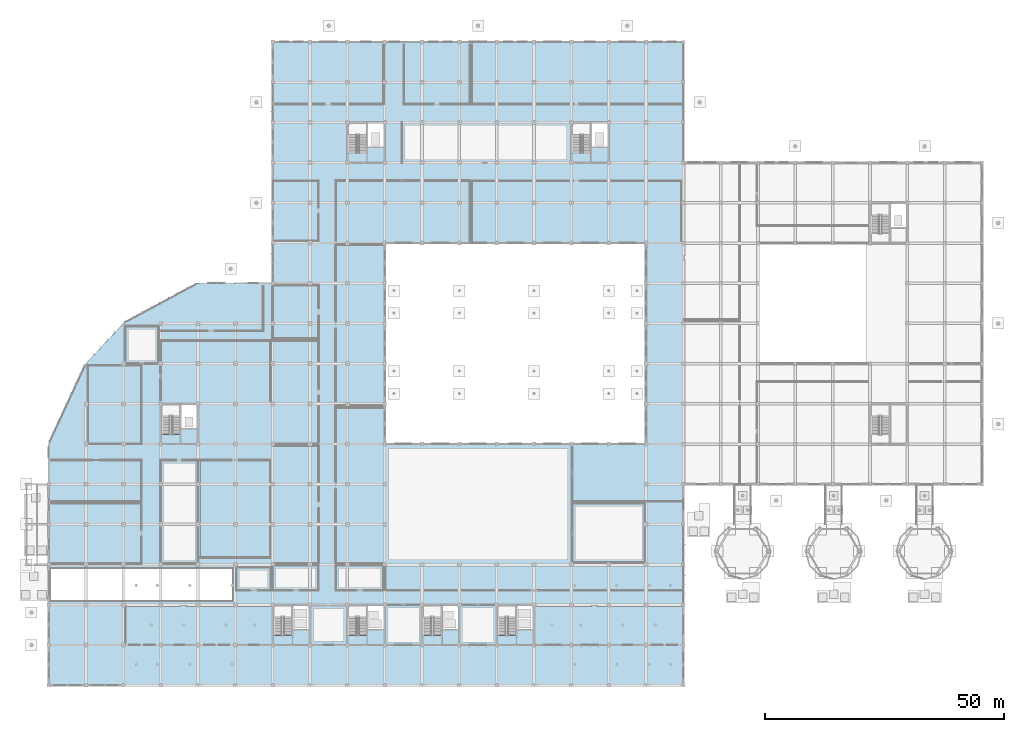
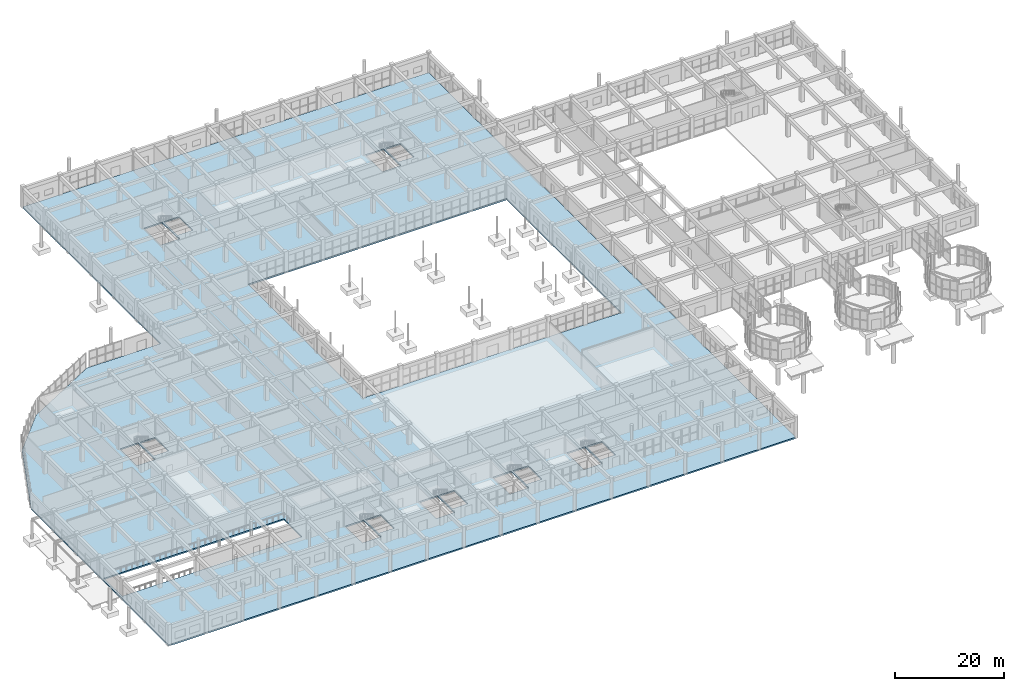
# One storey, part 108 of 139: 1 slab.
"""IFC4 building model written with IfcOpenShell, lengths in metres."""

from ifc_helpers import new_model, si_unit, direction, frame, origin, place, context, subcontext, project, spatial, polyline, outline, extrude, material, layer, layer_set, type_object, element, save


model = new_model("IFC4")

# Units and contexts
model_context = context("Model", 3, precision=1e-05, world=origin(), true_north=direction((0.0, 1.0)))
body_context = subcontext(model_context, "Body", "Model", "MODEL_VIEW")
ifc_project = project(units=[si_unit("LENGTHUNIT", "METRE"), si_unit("AREAUNIT", "SQUARE_METRE"), si_unit("VOLUMEUNIT", "CUBIC_METRE"), si_unit("PLANEANGLEUNIT", "RADIAN"), si_unit("MASSUNIT", "GRAM", prefix="KILO")], contexts=[model_context])

# Site, building, storey
site_placement = place(None, origin())
site = spatial("IfcSite", under=ifc_project, at=site_placement, CompositionType="ELEMENT")
building_placement = place(site_placement, origin())
building = spatial("IfcBuilding", under=site, at=building_placement, Name="Zizhar Promenade General Hospital", CompositionType="ELEMENT")
storey_placement = place(building_placement, origin())
storey = spatial("IfcBuildingStorey", under=building, at=storey_placement, Name="L00", CompositionType="ELEMENT", Elevation=0.0)

# Slab
ifc_material = material(Name="Concrete C35/45", Category="concrete")
ifc_layer = layer(ifc_material, 0.320068359375)
ifc_layer_set = layer_set([ifc_layer], Name="Concrete C35/45")
slab_type = type_object("IfcSlabType", Name="SLB-FLR-320", PredefinedType="FLOOR", material=ifc_layer_set)
slab_placement = place(storey_placement, frame((0.0, 0.0, -0.320068359375)))
element("IfcSlab", 1, at=slab_placement, inside=storey, type_object=slab_type, Name="Level L00 Main Hospital Ground Slab", PredefinedType="FLOOR", context=body_context, shape_type="SweptSolid", body=[
    extrude(outline(polyline([(0.0, 0.0), (132.550048828125, 0.0), (132.550048828125, 134.39990234375), (46.800048828125, 134.39990234375), (46.800048828125, 84.0), (31.199951171875, 84.0), (15.60009765625, 75.60009765625), (7.800048828125, 67.199951171875), (0.0, 50.39990234375), (0.0, 0.0)]), holes=[polyline([(70.199951171875, 50.39990234375), (70.199951171875, 92.39990234375), (124.800048828125, 92.39990234375), (124.800048828125, 50.39990234375), (70.199951171875, 50.39990234375)]), polyline([(0.39990234375, 17.699951171875), (0.39990234375, 24.300048828125), (38.39990234375, 24.300048828125), (38.39990234375, 17.699951171875), (0.39990234375, 17.699951171875)]), polyline([(23.580078125, 52.429931640625), (23.580078125, 58.6201171875), (27.47998046875, 58.6201171875), (27.47998046875, 52.429931640625), (23.580078125, 52.429931640625)]), polyline([(27.75, 53.6201171875), (27.75, 58.580078125), (30.97998046875, 58.580078125), (30.97998046875, 53.6201171875), (27.75, 53.6201171875)]), polyline([(46.97998046875, 10.429931640625), (46.97998046875, 16.6201171875), (50.8798828125, 16.6201171875), (50.8798828125, 10.429931640625), (46.97998046875, 10.429931640625)]), polyline([(51.14990234375, 11.6201171875), (51.14990234375, 16.580078125), (54.3798828125, 16.580078125), (54.3798828125, 11.6201171875), (51.14990234375, 11.6201171875)]), polyline([(62.580078125, 10.429931640625), (62.580078125, 16.6201171875), (66.47998046875, 16.6201171875), (66.47998046875, 10.429931640625), (62.580078125, 10.429931640625)]), polyline([(66.75, 11.6201171875), (66.75, 16.580078125), (69.97998046875, 16.580078125), (69.97998046875, 11.6201171875), (66.75, 11.6201171875)]), polyline([(78.179931640625, 10.429931640625), (78.179931640625, 16.6201171875), (82.080078125, 16.6201171875), (82.080078125, 10.429931640625), (78.179931640625, 10.429931640625)]), polyline([(82.35009765625, 11.6201171875), (82.35009765625, 16.580078125), (85.580078125, 16.580078125), (85.580078125, 11.6201171875), (82.35009765625, 11.6201171875)]), polyline([(93.780029296875, 10.429931640625), (93.780029296875, 16.6201171875), (97.679931640625, 16.6201171875), (97.679931640625, 10.429931640625), (93.780029296875, 10.429931640625)]), polyline([(97.949951171875, 11.6201171875), (97.949951171875, 16.580078125), (101.179931640625, 16.580078125), (101.179931640625, 11.6201171875), (97.949951171875, 11.6201171875)]), polyline([(62.580078125, 111.22998046875), (62.580078125, 117.419921875), (66.47998046875, 117.419921875), (66.47998046875, 111.22998046875), (62.580078125, 111.22998046875)]), polyline([(66.75, 112.419921875), (66.75, 117.3798828125), (69.97998046875, 117.3798828125), (69.97998046875, 112.419921875), (66.75, 112.419921875)]), polyline([(109.3798828125, 111.22998046875), (109.3798828125, 117.419921875), (113.280029296875, 117.419921875), (113.280029296875, 111.22998046875), (109.3798828125, 111.22998046875)]), polyline([(113.550048828125, 112.419921875), (113.550048828125, 117.3798828125), (116.780029296875, 117.3798828125), (116.780029296875, 112.419921875), (113.550048828125, 112.419921875)])]), origin(), (0.0, 0.0, 1.0), 0.320068359375),
])

save(model, "model.ifc")
